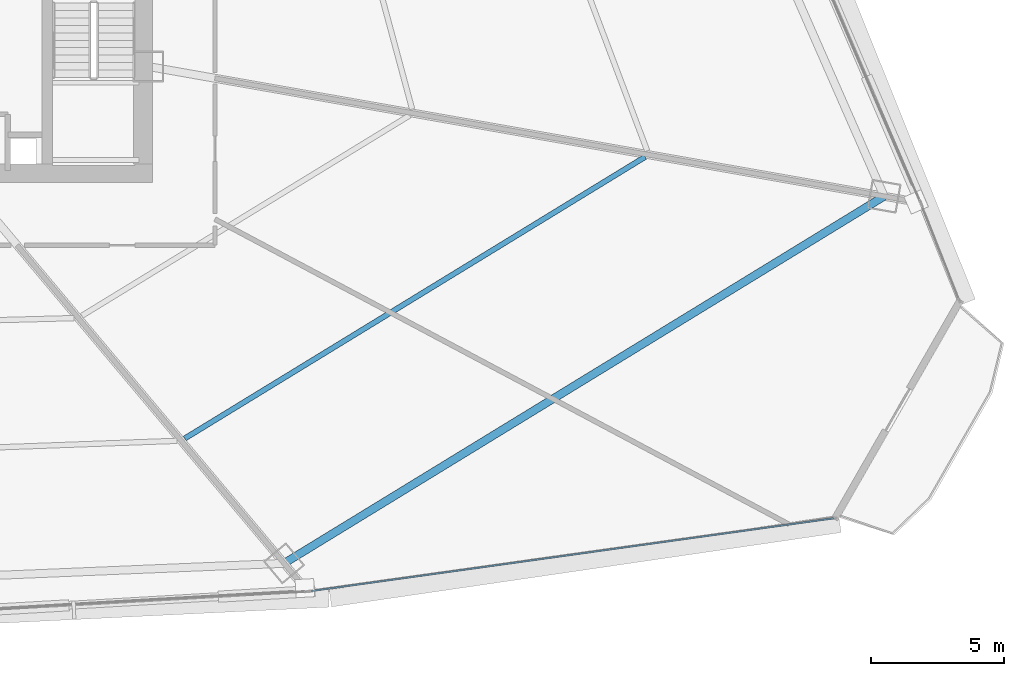
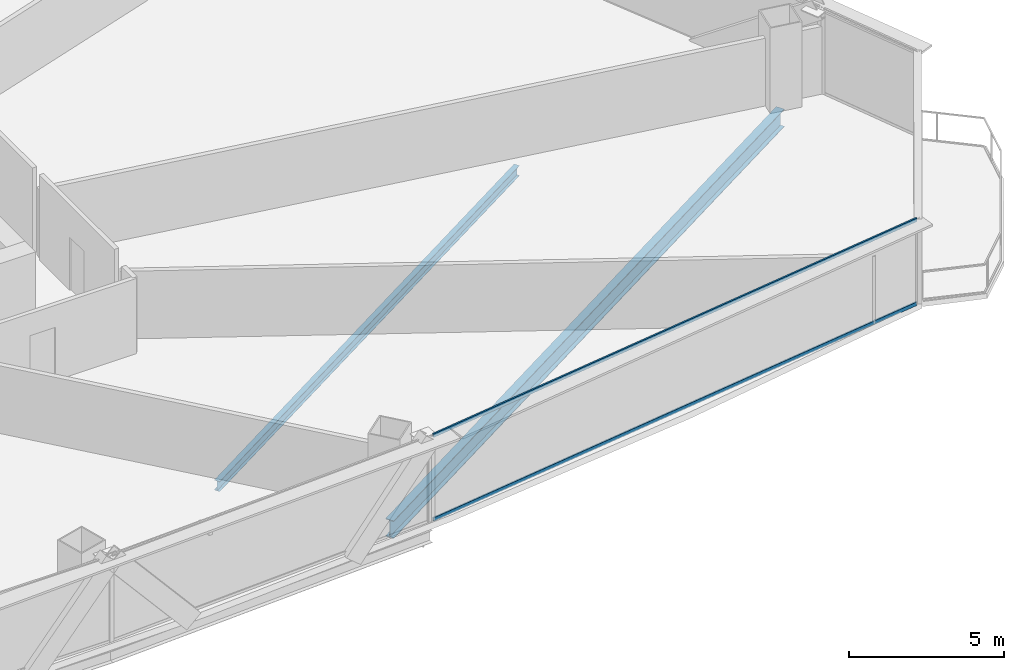
# One storey, part 21 of 37: 2 beams, 2 members, 1 element without a shape of its own.
"""IFC4 building model written with IfcOpenShell, lengths in metres."""

from ifc_helpers import new_model, si_unit, direction, frame, origin, origin_2d, place, context, subcontext, project, spatial, hollow_rectangle, i_section, extrude, source, transform, mapped, material, layer, layer_set, material_profile, profile_set, type_object, element, aggregate, save


model = new_model("IFC4")

# Units and contexts
model_context = context("Model", 3, precision=1e-05, world=origin(), true_north=direction((0.0, 1.0)))
body_context = subcontext(model_context, "Body", "Model", "MODEL_VIEW")
ifc_project = project(units=[si_unit("LENGTHUNIT", "METRE"), si_unit("AREAUNIT", "SQUARE_METRE"), si_unit("VOLUMEUNIT", "CUBIC_METRE"), si_unit("PLANEANGLEUNIT", "RADIAN"), si_unit("MASSUNIT", "GRAM", prefix="KILO"), si_unit("THERMODYNAMICTEMPERATUREUNIT", "KELVIN"), si_unit("POWERUNIT", "WATT")], contexts=[model_context])

# Site, building, storey
site_placement = place(None, origin())
site = spatial("IfcSite", under=ifc_project, at=site_placement, CompositionType="ELEMENT")
building_placement = place(site_placement, origin())
building = spatial("IfcBuilding", under=site, at=building_placement, Name="Yunzhuo Pagoda Commons", CompositionType="ELEMENT")
storey_placement = place(building_placement, frame((0.0, 0.0, 59.43994140625)))
storey = spatial("IfcBuildingStorey", under=building, at=storey_placement, Name="L15", CompositionType="ELEMENT", Elevation=59.43994140625)

# Beams
ifc_material_1 = material(Name="Structural steel Q355B", Category="steel")
ifc_material_profile_1 = material_profile(ifc_material_1, i_section(OverallWidth=0.300048828125, OverallDepth=0.699951171875, WebThickness=0.012939453125, FlangeThickness=0.02392578125, at=origin_2d()), Name="Structural steel Q355B")
ifc_profile_set_1 = profile_set([ifc_material_profile_1], Name="Structural steel Q355B")
beam_type_1 = type_object("IfcBeamType", Name="B-RG1 Beam HN 700x300x13x24", PredefinedType="BEAM", material=ifc_profile_set_1)
shared_shape_1 = source(origin(), body_context, "Body", "SweptSolid", [
    extrude(i_section(OverallWidth=0.300048828125, OverallDepth=0.699951171875, WebThickness=0.012939453125, FlangeThickness=0.02392578125, at=origin_2d()), origin(), (0.0, 0.0, 1.0), 26.432373046875),
])
beam_1_placement = place(storey_placement, frame((65.5, 12.844482421875, -0.60986328125), z_axis=(0.853031728928, 0.521859051318, 0.0), x_axis=(-0.521859051318, 0.853031728928, 0.0)))
element("IfcBeam", 1, at=beam_1_placement, inside=storey, type_object=beam_type_1, Name="L15 column-ring beam 4", PredefinedType="BEAM", context=body_context, shape_type="MappedRepresentation", body=[
    mapped(shared_shape_1, transform((0.0, 0.0, 0.0), scale=1.0)),
])
ifc_material_profile_2 = material_profile(ifc_material_1, i_section(OverallWidth=0.199951171875, OverallDepth=0.39990234375, WebThickness=0.008056640625, FlangeThickness=0.012939453125, at=origin_2d()), Name="Structural steel Q355B")
ifc_profile_set_2 = profile_set([ifc_material_profile_2], Name="Structural steel Q355B")
beam_type_2 = type_object("IfcBeamType", Name="B-JS1 Joist HN 400x200x8x13", PredefinedType="JOIST", material=ifc_profile_set_2)
shared_shape_2 = source(origin(), body_context, "Body", "SweptSolid", [
    extrude(i_section(OverallWidth=0.199951171875, OverallDepth=0.39990234375, WebThickness=0.008056640625, FlangeThickness=0.012939453125, at=origin_2d()), origin(), (0.0, 0.0, 1.0), 20.275634765625),
])
beam_2_placement = place(storey_placement, frame((61.767578125, 17.537109375, -0.459716796875), z_axis=(0.853102898066, 0.521742700295, 0.0), x_axis=(-0.521742700295, 0.853102898066, 0.0)))
element("IfcBeam", 2, at=beam_2_placement, inside=storey, type_object=beam_type_2, Name="L15 composite ring joist 2.4", PredefinedType="JOIST", context=body_context, shape_type="MappedRepresentation", body=[
    mapped(shared_shape_2, transform((0.0, 0.0, 0.0), scale=1.0)),
])

# Curtain wall, members
ifc_material_2 = material(Name="Anodized aluminium 6063-T6", Category="aluminium")
ifc_layer = layer(ifc_material_2, 0.1650390625)
ifc_layer_set = layer_set([ifc_layer], Name="Anodized aluminium 6063-T6")
curtain_wall_type = type_object("IfcCurtainWallType", Name="CW-LOW Low-Zone Ribbon Curtain Wall", PredefinedType="NOTDEFINED", material=ifc_layer_set)
curtain_wall_placement = place(storey_placement, origin())
curtain_wall = element("IfcCurtainWall", 3, at=curtain_wall_placement, inside=storey, type_object=curtain_wall_type, Name="L15 curtain wall CW-L15-F1B5", PredefinedType="NOTDEFINED")
ifc_material_profile_3 = material_profile(ifc_material_2, hollow_rectangle(XDim=0.06005859375, YDim=0.139892578125, WallThickness=0.00341796875, at=origin_2d()), Name="Anodized aluminium 6063-T6")
ifc_profile_set_3 = profile_set([ifc_material_profile_3], Name="Anodized aluminium 6063-T6")
member_type = type_object("IfcMemberType", Name="CW-LOW-T Transom RHS 140x60x3.5", PredefinedType="USERDEFINED", material=ifc_profile_set_3)
shared_shape_3 = source(origin(), body_context, "Body", "SweptSolid", [
    extrude(hollow_rectangle(XDim=0.06005859375, YDim=0.139892578125, WallThickness=0.00341796875, at=origin_2d()), origin(), (0.0, 0.0, 1.0), 19.809814453125),
])
member_1_placement = place(storey_placement, frame((66.5263671875, 11.8056640625, 0.030029296875), z_axis=(0.990445101456, 0.137907581381, 0.0), x_axis=(-0.137907581381, 0.990445101456, 0.0)))
member_1 = element("IfcMember", 4, at=member_1_placement, type_object=member_type, Name="CW transom 1.1", ObjectType="TRANSOM", PredefinedType="USERDEFINED", context=body_context, shape_type="MappedRepresentation", body=[
    mapped(shared_shape_3, transform((0.0, 0.0, 0.0), scale=1.0)),
])
member_2_placement = place(storey_placement, frame((66.5263671875, 11.8056640625, 3.340087890625), z_axis=(0.990445101456, 0.137907581381, 0.0), x_axis=(-0.137907581381, 0.990445101456, 0.0)))
member_2 = element("IfcMember", 5, at=member_2_placement, type_object=member_type, Name="CW transom 1.2", ObjectType="TRANSOM", PredefinedType="USERDEFINED", context=body_context, shape_type="MappedRepresentation", body=[
    mapped(shared_shape_3, transform((0.0, 0.0, 0.0), scale=1.0)),
])
aggregate(curtain_wall, [member_1, member_2])

save(model, "model.ifc")
